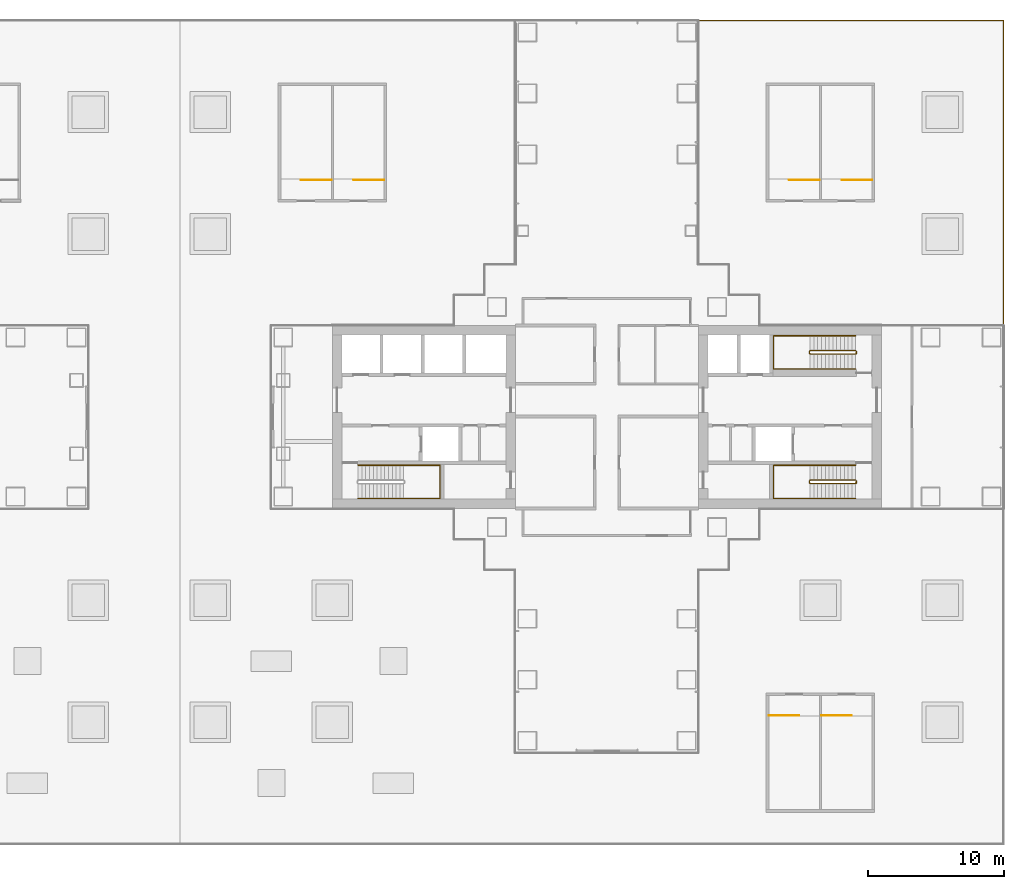
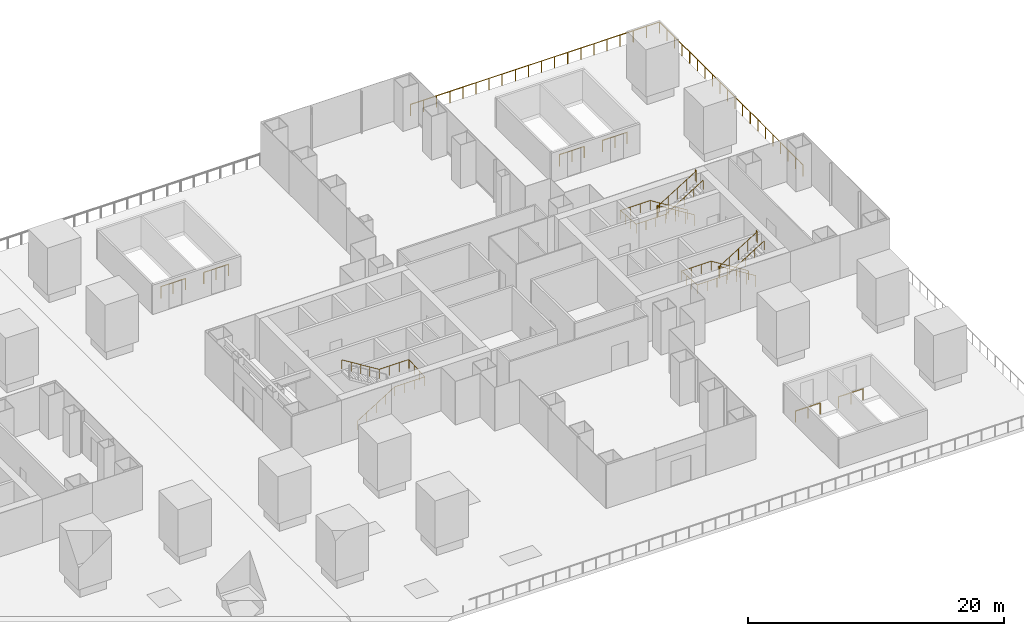
# One storey, part 22 of 23: 12 railings.
"""IFC4 building model written with IfcOpenShell, lengths in metres."""

from ifc_helpers import new_model, si_unit, direction, frame, origin, origin_2d, place, context, subcontext, project, spatial, circle, extrude, material, type_object, element, save


model = new_model("IFC4")

# Units and contexts
model_context = context("Model", 3, precision=1e-05, world=origin(), true_north=direction((0.0, 1.0)))
body_context = subcontext(model_context, "Body", "Model", "MODEL_VIEW")
ifc_project = project(units=[si_unit("LENGTHUNIT", "METRE"), si_unit("AREAUNIT", "SQUARE_METRE"), si_unit("VOLUMEUNIT", "CUBIC_METRE"), si_unit("PLANEANGLEUNIT", "RADIAN"), si_unit("MASSUNIT", "GRAM", prefix="KILO")], contexts=[model_context])

# Site, building, storey
site_placement = place(None, origin())
site = spatial("IfcSite", under=ifc_project, at=site_placement, CompositionType="ELEMENT")
building_placement = place(site_placement, origin())
building = spatial("IfcBuilding", under=site, at=building_placement, Name="Shamsa Quay Exchange Towers", CompositionType="ELEMENT")
storey_placement = place(building_placement, frame((0.0, 0.0, 28.5)))
storey = spatial("IfcBuildingStorey", under=building, at=storey_placement, Name="L05", CompositionType="ELEMENT", Elevation=28.5)

# Railings
ifc_material_1 = material(Name="Steel S355, black powder-coated", Category="steel")
railing_type_1 = type_object("IfcRailingType", Name="DECK GUARD 1100", PredefinedType="GUARDRAIL", material=ifc_material_1)
railing_1_placement = place(storey_placement, frame((63.0, 6.77001953125, 0.0)))
element("IfcRailing", 1, at=railing_1_placement, inside=storey, type_object=railing_type_1, Name="Deck guard 2.1", PredefinedType="GUARDRAIL", context=body_context, shape_type="SweptSolid", body=[
    extrude(circle(Radius=0.02392578125, at=origin_2d()), frame((0.0, 0.0, 1.076171875), z_axis=(0.0, 1.0, 0.0), x_axis=(-1.0, 0.0, 0.0)), (0.0, 0.0, 1.0), 22.47998046875),
    extrude(circle(Radius=0.02392578125, at=origin_2d()), frame((0.0, 22.47998046875, 1.076171875), z_axis=(-1.0, 0.0, 0.0), x_axis=(0.0, -1.0, 0.0)), (0.0, 0.0, 1.0), 22.47998046875),
    extrude(circle(Radius=0.02099609375, at=origin_2d()), origin(), (0.0, 0.0, 1.0), 1.052001953125),
    extrude(circle(Radius=0.02099609375, at=origin_2d()), frame((0.0, 1.18310546875, 0.0)), (0.0, 0.0, 1.0), 1.052001953125),
    extrude(circle(Radius=0.02099609375, at=origin_2d()), frame((0.0, 2.3662109375, 0.0)), (0.0, 0.0, 1.0), 1.052001953125),
    extrude(circle(Radius=0.02099609375, at=origin_2d()), frame((0.0, 3.549560546875, 0.0)), (0.0, 0.0, 1.0), 1.052001953125),
    extrude(circle(Radius=0.02099609375, at=origin_2d()), frame((0.0, 4.732666015625, 0.0)), (0.0, 0.0, 1.0), 1.052001953125),
    extrude(circle(Radius=0.02099609375, at=origin_2d()), frame((0.0, 5.915771484375, 0.0)), (0.0, 0.0, 1.0), 1.052001953125),
    extrude(circle(Radius=0.02099609375, at=origin_2d()), frame((0.0, 7.098876953125, 0.0)), (0.0, 0.0, 1.0), 1.052001953125),
    extrude(circle(Radius=0.02099609375, at=origin_2d()), frame((0.0, 8.281982421875, 0.0)), (0.0, 0.0, 1.0), 1.052001953125),
    extrude(circle(Radius=0.02099609375, at=origin_2d()), frame((0.0, 9.46533203125, 0.0)), (0.0, 0.0, 1.0), 1.052001953125),
    extrude(circle(Radius=0.02099609375, at=origin_2d()), frame((0.0, 10.6484375, 0.0)), (0.0, 0.0, 1.0), 1.052001953125),
    extrude(circle(Radius=0.02099609375, at=origin_2d()), frame((0.0, 11.83154296875, 0.0)), (0.0, 0.0, 1.0), 1.052001953125),
    extrude(circle(Radius=0.02099609375, at=origin_2d()), frame((0.0, 13.0146484375, 0.0)), (0.0, 0.0, 1.0), 1.052001953125),
    extrude(circle(Radius=0.02099609375, at=origin_2d()), frame((0.0, 14.197998046875, 0.0)), (0.0, 0.0, 1.0), 1.052001953125),
    extrude(circle(Radius=0.02099609375, at=origin_2d()), frame((0.0, 15.381103515625, 0.0)), (0.0, 0.0, 1.0), 1.052001953125),
    extrude(circle(Radius=0.02099609375, at=origin_2d()), frame((0.0, 16.564208984375, 0.0)), (0.0, 0.0, 1.0), 1.052001953125),
    extrude(circle(Radius=0.02099609375, at=origin_2d()), frame((0.0, 17.747314453125, 0.0)), (0.0, 0.0, 1.0), 1.052001953125),
    extrude(circle(Radius=0.02099609375, at=origin_2d()), frame((0.0, 18.930419921875, 0.0)), (0.0, 0.0, 1.0), 1.052001953125),
    extrude(circle(Radius=0.02099609375, at=origin_2d()), frame((0.0, 20.11376953125, 0.0)), (0.0, 0.0, 1.0), 1.052001953125),
    extrude(circle(Radius=0.02099609375, at=origin_2d()), frame((0.0, 21.296875, 0.0)), (0.0, 0.0, 1.0), 1.052001953125),
    extrude(circle(Radius=0.02099609375, at=origin_2d()), frame((0.0, 22.47998046875, 0.0)), (0.0, 0.0, 1.0), 1.052001953125),
    extrude(circle(Radius=0.02099609375, at=origin_2d()), frame((-1.18310546875, 22.47998046875, 0.0)), (0.0, 0.0, 1.0), 1.052001953125),
    extrude(circle(Radius=0.02099609375, at=origin_2d()), frame((-2.3662109375, 22.47998046875, 0.0)), (0.0, 0.0, 1.0), 1.052001953125),
    extrude(circle(Radius=0.02099609375, at=origin_2d()), frame((-3.549560546875, 22.47998046875, 0.0)), (0.0, 0.0, 1.0), 1.052001953125),
    extrude(circle(Radius=0.02099609375, at=origin_2d()), frame((-4.732666015625, 22.47998046875, 0.0)), (0.0, 0.0, 1.0), 1.052001953125),
    extrude(circle(Radius=0.02099609375, at=origin_2d()), frame((-5.915771484375, 22.47998046875, 0.0)), (0.0, 0.0, 1.0), 1.052001953125),
    extrude(circle(Radius=0.02099609375, at=origin_2d()), frame((-7.098876953125, 22.47998046875, 0.0)), (0.0, 0.0, 1.0), 1.052001953125),
    extrude(circle(Radius=0.02099609375, at=origin_2d()), frame((-8.281982421875, 22.47998046875, 0.0)), (0.0, 0.0, 1.0), 1.052001953125),
    extrude(circle(Radius=0.02099609375, at=origin_2d()), frame((-9.46533203125, 22.47998046875, 0.0)), (0.0, 0.0, 1.0), 1.052001953125),
    extrude(circle(Radius=0.02099609375, at=origin_2d()), frame((-10.6484375, 22.47998046875, 0.0)), (0.0, 0.0, 1.0), 1.052001953125),
    extrude(circle(Radius=0.02099609375, at=origin_2d()), frame((-11.83154296875, 22.47998046875, 0.0)), (0.0, 0.0, 1.0), 1.052001953125),
    extrude(circle(Radius=0.02099609375, at=origin_2d()), frame((-13.0146484375, 22.47998046875, 0.0)), (0.0, 0.0, 1.0), 1.052001953125),
    extrude(circle(Radius=0.02099609375, at=origin_2d()), frame((-14.197998046875, 22.47998046875, 0.0)), (0.0, 0.0, 1.0), 1.052001953125),
    extrude(circle(Radius=0.02099609375, at=origin_2d()), frame((-15.381103515625, 22.47998046875, 0.0)), (0.0, 0.0, 1.0), 1.052001953125),
    extrude(circle(Radius=0.02099609375, at=origin_2d()), frame((-16.564208984375, 22.47998046875, 0.0)), (0.0, 0.0, 1.0), 1.052001953125),
    extrude(circle(Radius=0.02099609375, at=origin_2d()), frame((-17.747314453125, 22.47998046875, 0.0)), (0.0, 0.0, 1.0), 1.052001953125),
    extrude(circle(Radius=0.02099609375, at=origin_2d()), frame((-18.930419921875, 22.47998046875, 0.0)), (0.0, 0.0, 1.0), 1.052001953125),
    extrude(circle(Radius=0.02099609375, at=origin_2d()), frame((-20.11376953125, 22.47998046875, 0.0)), (0.0, 0.0, 1.0), 1.052001953125),
    extrude(circle(Radius=0.02099609375, at=origin_2d()), frame((-21.296875, 22.47998046875, 0.0)), (0.0, 0.0, 1.0), 1.052001953125),
    extrude(circle(Radius=0.02099609375, at=origin_2d()), frame((-22.47998046875, 22.47998046875, 0.0)), (0.0, 0.0, 1.0), 1.052001953125),
])
ifc_material_2 = material(Name="Stainless steel", Category="steel")
railing_type_2 = type_object("IfcRailingType", Name="STAIR GUARD 1100", PredefinedType="GUARDRAIL", material=ifc_material_2)
railing_2_placement = place(storey_placement, frame((52.10009765625, -4.64990234375, 0.173095703125)))
element("IfcRailing", 2, at=railing_2_placement, inside=storey, type_object=railing_type_2, Name="L05 ST5 stair guard 1", PredefinedType="GUARDRAIL", context=body_context, shape_type="SweptSolid", body=[
    extrude(circle(Radius=0.02392578125, at=origin_2d()), frame((0.0, 0.0, 1.076171875), z_axis=(-0.850623216509, 0.0, 0.525775754039), x_axis=(0.0, -1.0, 0.0)), (0.0, 0.0, 1.0), 3.9501953125),
    extrude(circle(Radius=0.02392578125, at=origin_2d()), frame((-3.360107421875, 0.0, 3.15283203125), z_axis=(-0.707106781187, -0.707106781187, 0.0), x_axis=(0.707106781187, -0.707106781187, 0.0)), (0.0, 0.0, 1.0), 0.07080078125),
    extrude(circle(Radius=0.02392578125, at=origin_2d()), frame((-3.41015625, -0.050048828125, 3.15283203125), z_axis=(0.0, -1.0, 0.0), x_axis=(1.0, 0.0, 0.0)), (0.0, 0.0, 1.0), 0.150146484375),
    extrude(circle(Radius=0.02392578125, at=origin_2d()), frame((-3.41015625, -0.2001953125, 3.15283203125), z_axis=(0.267723051232, -0.266417085129, 0.925929967433), x_axis=(0.705375805398, 0.708833529934, 0.0)), (0.0, 0.0, 1.0), 0.18701171875),
    extrude(circle(Radius=0.02392578125, at=origin_2d()), frame((-3.360107421875, -0.25, 3.326171875), z_axis=(0.850623216509, 0.0, 0.525775754039), x_axis=(0.0, 1.0, 0.0)), (0.0, 0.0, 1.0), 3.9501953125),
    extrude(circle(Radius=0.02392578125, at=origin_2d()), frame((0.0, -0.25, 5.40283203125), z_axis=(0.241699205484, 0.970351222016, 0.0), x_axis=(-0.970351222016, 0.241699205484, 0.0)), (0.0, 0.0, 1.0), 0.2060546875),
    extrude(circle(Radius=0.02392578125, at=origin_2d()), frame((0.0498046875, -0.050048828125, 5.40283203125), z_axis=(0.0, -1.0, 0.0), x_axis=(1.0, 0.0, 0.0)), (0.0, 0.0, 1.0), 0.150146484375),
    extrude(circle(Radius=0.02099609375, at=origin_2d()), origin(), (0.0, 0.0, 1.0), 1.052001953125),
    extrude(circle(Radius=0.02099609375, at=origin_2d()), frame((-0.840087890625, 0.0, 0.519287109375)), (0.0, 0.0, 1.0), 1.052001953125),
    extrude(circle(Radius=0.02099609375, at=origin_2d()), frame((-1.68017578125, 0.0, 1.03857421875)), (0.0, 0.0, 1.0), 1.052001953125),
    extrude(circle(Radius=0.02099609375, at=origin_2d()), frame((-2.52001953125, 0.0, 1.5576171875)), (0.0, 0.0, 1.0), 1.052001953125),
    extrude(circle(Radius=0.02099609375, at=origin_2d()), frame((-3.360107421875, 0.0, 2.076904296875)), (0.0, 0.0, 1.0), 1.052001953125),
    extrude(circle(Radius=0.02099609375, at=origin_2d()), frame((-3.41015625, -0.050048828125, 2.076904296875)), (0.0, 0.0, 1.0), 1.052001953125),
    extrude(circle(Radius=0.02099609375, at=origin_2d()), frame((-3.41015625, -0.2001953125, 2.076904296875)), (0.0, 0.0, 1.0), 1.052001953125),
    extrude(circle(Radius=0.02099609375, at=origin_2d()), frame((-3.360107421875, -0.25, 2.25)), (0.0, 0.0, 1.0), 1.052001953125),
    extrude(circle(Radius=0.02099609375, at=origin_2d()), frame((-2.52001953125, -0.25, 2.769287109375)), (0.0, 0.0, 1.0), 1.052001953125),
    extrude(circle(Radius=0.02099609375, at=origin_2d()), frame((-1.68017578125, -0.25, 3.28857421875)), (0.0, 0.0, 1.0), 1.052001953125),
    extrude(circle(Radius=0.02099609375, at=origin_2d()), frame((-0.840087890625, -0.25, 3.8076171875)), (0.0, 0.0, 1.0), 1.052001953125),
    extrude(circle(Radius=0.02099609375, at=origin_2d()), frame((0.0, -0.25, 4.326904296875)), (0.0, 0.0, 1.0), 1.052001953125),
    extrude(circle(Radius=0.02099609375, at=origin_2d()), frame((0.0498046875, -0.050048828125, 4.326904296875)), (0.0, 0.0, 1.0), 1.052001953125),
    extrude(circle(Radius=0.02099609375, at=origin_2d()), frame((0.0498046875, -0.2001953125, 4.326904296875)), (0.0, 0.0, 1.0), 1.052001953125),
])
railing_3_placement = place(storey_placement, frame((52.10009765625, 4.89990234375, 0.173095703125)))
element("IfcRailing", 3, at=railing_3_placement, inside=storey, type_object=railing_type_2, Name="L05 ST6 stair guard 1", PredefinedType="GUARDRAIL", context=body_context, shape_type="SweptSolid", body=[
    extrude(circle(Radius=0.02392578125, at=origin_2d()), frame((0.0, 0.0, 1.076171875), z_axis=(-0.850623216509, 0.0, 0.525775754039), x_axis=(0.0, -1.0, 0.0)), (0.0, 0.0, 1.0), 3.9501953125),
    extrude(circle(Radius=0.02392578125, at=origin_2d()), frame((-3.360107421875, 0.0, 3.15283203125), z_axis=(-0.708833529934, -0.705375805398, 0.0), x_axis=(0.705375805398, -0.708833529934, 0.0)), (0.0, 0.0, 1.0), 0.070556640625),
    extrude(circle(Radius=0.02392578125, at=origin_2d()), frame((-3.41015625, -0.0498046875, 3.15283203125), z_axis=(0.0, -1.0, 0.0), x_axis=(1.0, 0.0, 0.0)), (0.0, 0.0, 1.0), 0.150146484375),
    extrude(circle(Radius=0.02392578125, at=origin_2d()), frame((-3.41015625, -0.199951171875, 3.15283203125), z_axis=(0.267629722418, -0.267629722418, 0.925607186314), x_axis=(0.707106781187, 0.707106781187, 0.0)), (0.0, 0.0, 1.0), 0.18701171875),
    extrude(circle(Radius=0.02392578125, at=origin_2d()), frame((-3.360107421875, -0.25, 3.326171875), z_axis=(0.850623216509, 0.0, 0.525775754039), x_axis=(0.0, 1.0, 0.0)), (0.0, 0.0, 1.0), 3.9501953125),
    extrude(circle(Radius=0.02392578125, at=origin_2d()), frame((0.0, -0.25, 5.40283203125), z_axis=(0.24142163986, 0.970420317083, 0.0), x_axis=(-0.970420317083, 0.24142163986, 0.0)), (0.0, 0.0, 1.0), 0.206298828125),
    extrude(circle(Radius=0.02392578125, at=origin_2d()), frame((0.0498046875, -0.0498046875, 5.40283203125), z_axis=(0.0, -1.0, 0.0), x_axis=(1.0, 0.0, 0.0)), (0.0, 0.0, 1.0), 0.150146484375),
    extrude(circle(Radius=0.02099609375, at=origin_2d()), origin(), (0.0, 0.0, 1.0), 1.052001953125),
    extrude(circle(Radius=0.02099609375, at=origin_2d()), frame((-0.840087890625, 0.0, 0.519287109375)), (0.0, 0.0, 1.0), 1.052001953125),
    extrude(circle(Radius=0.02099609375, at=origin_2d()), frame((-1.68017578125, 0.0, 1.03857421875)), (0.0, 0.0, 1.0), 1.052001953125),
    extrude(circle(Radius=0.02099609375, at=origin_2d()), frame((-2.52001953125, 0.0, 1.5576171875)), (0.0, 0.0, 1.0), 1.052001953125),
    extrude(circle(Radius=0.02099609375, at=origin_2d()), frame((-3.360107421875, 0.0, 2.076904296875)), (0.0, 0.0, 1.0), 1.052001953125),
    extrude(circle(Radius=0.02099609375, at=origin_2d()), frame((-3.41015625, -0.0498046875, 2.076904296875)), (0.0, 0.0, 1.0), 1.052001953125),
    extrude(circle(Radius=0.02099609375, at=origin_2d()), frame((-3.41015625, -0.199951171875, 2.076904296875)), (0.0, 0.0, 1.0), 1.052001953125),
    extrude(circle(Radius=0.02099609375, at=origin_2d()), frame((-3.360107421875, -0.25, 2.25)), (0.0, 0.0, 1.0), 1.052001953125),
    extrude(circle(Radius=0.02099609375, at=origin_2d()), frame((-2.52001953125, -0.25, 2.769287109375)), (0.0, 0.0, 1.0), 1.052001953125),
    extrude(circle(Radius=0.02099609375, at=origin_2d()), frame((-1.68017578125, -0.25, 3.28857421875)), (0.0, 0.0, 1.0), 1.052001953125),
    extrude(circle(Radius=0.02099609375, at=origin_2d()), frame((-0.840087890625, -0.25, 3.8076171875)), (0.0, 0.0, 1.0), 1.052001953125),
    extrude(circle(Radius=0.02099609375, at=origin_2d()), frame((0.0, -0.25, 4.326904296875)), (0.0, 0.0, 1.0), 1.052001953125),
    extrude(circle(Radius=0.02099609375, at=origin_2d()), frame((0.0498046875, -0.0498046875, 4.326904296875)), (0.0, 0.0, 1.0), 1.052001953125),
    extrude(circle(Radius=0.02099609375, at=origin_2d()), frame((0.0498046875, -0.199951171875, 4.326904296875)), (0.0, 0.0, 1.0), 1.052001953125),
])
for number, where, name in (
    (4, (13.425048828125, 17.5, 0.0), "L05 PS3A top well guard 1"),
    (5, (17.300048828125, 17.5, 0.0), "L05 PS3B top well guard 1"),
    (6, (49.425048828125, 17.5, 0.0), "L05 PS4A top well guard 1"),
    (7, (53.300048828125, 17.5, 0.0), "L05 PS4B top well guard 1"),
):
    element("IfcRailing", number, at=place(storey_placement, frame(where)), inside=storey, type_object=railing_type_2, Name=name, PredefinedType="GUARDRAIL", context=body_context, shape_type="SweptSolid", body=[
        extrude(circle(Radius=0.02392578125, at=origin_2d()), frame((0.0, 0.0, 1.076171875), z_axis=(-1.0, 0.0, 0.0), x_axis=(0.0, -1.0, 0.0)), (0.0, 0.0, 1.0), 2.22509765625),
        extrude(circle(Radius=0.02099609375, at=origin_2d()), origin(), (0.0, 0.0, 1.0), 1.052001953125),
        extrude(circle(Radius=0.02099609375, at=origin_2d()), frame((-1.112548828125, 0.0, 0.0)), (0.0, 0.0, 1.0), 1.052001953125),
        extrude(circle(Radius=0.02099609375, at=origin_2d()), frame((-2.22509765625, 0.0, 0.0)), (0.0, 0.0, 1.0), 1.052001953125),
    ])
for number, where, name in (
    (8, (45.699951171875, -22.0, 0.0), "L05 PS6A top well guard 1"),
    (9, (49.574951171875, -22.0, 0.0), "L05 PS6B top well guard 1"),
):
    element("IfcRailing", number, at=place(storey_placement, frame(where)), inside=storey, type_object=railing_type_2, Name=name, PredefinedType="GUARDRAIL", context=body_context, shape_type="SweptSolid", body=[
        extrude(circle(Radius=0.02392578125, at=origin_2d()), frame((0.0, 0.0, 1.076171875), z_axis=(1.0, 0.0, 0.0), x_axis=(0.0, 1.0, 0.0)), (0.0, 0.0, 1.0), 2.22509765625),
        extrude(circle(Radius=0.02099609375, at=origin_2d()), origin(), (0.0, 0.0, 1.0), 1.052001953125),
        extrude(circle(Radius=0.02099609375, at=origin_2d()), frame((1.112548828125, 0.0, 0.0)), (0.0, 0.0, 1.0), 1.052001953125),
        extrude(circle(Radius=0.02099609375, at=origin_2d()), frame((2.22509765625, 0.0, 0.0)), (0.0, 0.0, 1.0), 1.052001953125),
    ])
railing_type_3 = type_object("IfcRailingType", Name="STAIR HANDRAIL 900", PredefinedType="HANDRAIL", material=ifc_material_2)
railing_4_placement = place(storey_placement, frame((15.39990234375, -6.0, 0.173095703125)))
element("IfcRailing", 10, at=railing_4_placement, inside=storey, type_object=railing_type_3, Name="L05 ST4 stair handrail 1", PredefinedType="HANDRAIL", context=body_context, shape_type="SweptSolid", body=[
    extrude(circle(Radius=0.02392578125, at=origin_2d()), frame((0.0, 0.0, 0.8759765625), z_axis=(0.850623216509, 0.0, 0.525775754039), x_axis=(0.0, 1.0, 0.0)), (0.0, 0.0, 1.0), 3.9501953125),
    extrude(circle(Radius=0.02392578125, at=origin_2d()), frame((3.360107421875, 0.0, 2.95263671875), z_axis=(1.0, 0.0, 0.0), x_axis=(0.0, 1.0, 0.0)), (0.0, 0.0, 1.0), 2.68994140625),
    extrude(circle(Radius=0.02392578125, at=origin_2d()), frame((6.050048828125, 0.0, 2.95263671875), z_axis=(0.0, 0.997513402493, 0.07047703063), x_axis=(-1.0, 0.0, 0.0)), (0.0, 0.0, 1.0), 2.4560546875),
    extrude(circle(Radius=0.02392578125, at=origin_2d()), frame((6.050048828125, 2.449951171875, 3.1259765625), z_axis=(-1.0, 0.0, 0.0), x_axis=(0.0, -1.0, 0.0)), (0.0, 0.0, 1.0), 2.68994140625),
    extrude(circle(Radius=0.02392578125, at=origin_2d()), frame((3.360107421875, 2.449951171875, 3.1259765625), z_axis=(-0.850623216509, 0.0, 0.525775754039), x_axis=(0.0, -1.0, 0.0)), (0.0, 0.0, 1.0), 3.9501953125),
    extrude(circle(Radius=0.02099609375, at=origin_2d()), origin(), (0.0, 0.0, 1.0), 0.851806640625),
    extrude(circle(Radius=0.02099609375, at=origin_2d()), frame((0.840087890625, 0.0, 0.519287109375)), (0.0, 0.0, 1.0), 0.851806640625),
    extrude(circle(Radius=0.02099609375, at=origin_2d()), frame((1.68017578125, 0.0, 1.03857421875)), (0.0, 0.0, 1.0), 0.851806640625),
    extrude(circle(Radius=0.02099609375, at=origin_2d()), frame((2.52001953125, 0.0, 1.5576171875)), (0.0, 0.0, 1.0), 0.851806640625),
    extrude(circle(Radius=0.02099609375, at=origin_2d()), frame((3.360107421875, 0.0, 2.076904296875)), (0.0, 0.0, 1.0), 0.851806640625),
    extrude(circle(Radius=0.02099609375, at=origin_2d()), frame((4.2568359375, 0.0, 2.076904296875)), (0.0, 0.0, 1.0), 0.851806640625),
    extrude(circle(Radius=0.02099609375, at=origin_2d()), frame((5.1533203125, 0.0, 2.076904296875)), (0.0, 0.0, 1.0), 0.851806640625),
    extrude(circle(Radius=0.02099609375, at=origin_2d()), frame((6.050048828125, 0.0, 2.076904296875)), (0.0, 0.0, 1.0), 0.851806640625),
    extrude(circle(Radius=0.02099609375, at=origin_2d()), frame((6.050048828125, 0.816650390625, 2.134521484375)), (0.0, 0.0, 1.0), 0.851806640625),
    extrude(circle(Radius=0.02099609375, at=origin_2d()), frame((6.050048828125, 1.63330078125, 2.1923828125)), (0.0, 0.0, 1.0), 0.851806640625),
    extrude(circle(Radius=0.02099609375, at=origin_2d()), frame((6.050048828125, 2.449951171875, 2.25)), (0.0, 0.0, 1.0), 0.851806640625),
    extrude(circle(Radius=0.02099609375, at=origin_2d()), frame((5.1533203125, 2.449951171875, 2.25)), (0.0, 0.0, 1.0), 0.851806640625),
    extrude(circle(Radius=0.02099609375, at=origin_2d()), frame((4.2568359375, 2.449951171875, 2.25)), (0.0, 0.0, 1.0), 0.851806640625),
    extrude(circle(Radius=0.02099609375, at=origin_2d()), frame((3.360107421875, 2.449951171875, 2.25)), (0.0, 0.0, 1.0), 0.851806640625),
    extrude(circle(Radius=0.02099609375, at=origin_2d()), frame((2.52001953125, 2.449951171875, 2.769287109375)), (0.0, 0.0, 1.0), 0.851806640625),
    extrude(circle(Radius=0.02099609375, at=origin_2d()), frame((1.68017578125, 2.449951171875, 3.28857421875)), (0.0, 0.0, 1.0), 0.851806640625),
    extrude(circle(Radius=0.02099609375, at=origin_2d()), frame((0.840087890625, 2.449951171875, 3.8076171875)), (0.0, 0.0, 1.0), 0.851806640625),
    extrude(circle(Radius=0.02099609375, at=origin_2d()), frame((0.0, 2.449951171875, 4.326904296875)), (0.0, 0.0, 1.0), 0.851806640625),
])
railing_5_placement = place(storey_placement, frame((52.10009765625, -3.550048828125, 0.173095703125)))
element("IfcRailing", 11, at=railing_5_placement, inside=storey, type_object=railing_type_3, Name="L05 ST5 stair handrail 1", PredefinedType="HANDRAIL", context=body_context, shape_type="SweptSolid", body=[
    extrude(circle(Radius=0.02392578125, at=origin_2d()), frame((0.0, 0.0, 0.8759765625), z_axis=(-0.850623216509, 0.0, 0.525775754039), x_axis=(0.0, -1.0, 0.0)), (0.0, 0.0, 1.0), 3.9501953125),
    extrude(circle(Radius=0.02392578125, at=origin_2d()), frame((-3.360107421875, 0.0, 2.95263671875), z_axis=(-1.0, 0.0, 0.0), x_axis=(0.0, -1.0, 0.0)), (0.0, 0.0, 1.0), 2.68994140625),
    extrude(circle(Radius=0.02392578125, at=origin_2d()), frame((-6.050048828125, 0.0, 2.95263671875), z_axis=(0.0, -0.997513402493, 0.07047703063), x_axis=(1.0, 0.0, 0.0)), (0.0, 0.0, 1.0), 2.4560546875),
    extrude(circle(Radius=0.02392578125, at=origin_2d()), frame((-6.050048828125, -2.449951171875, 3.1259765625), z_axis=(1.0, 0.0, 0.0), x_axis=(0.0, 1.0, 0.0)), (0.0, 0.0, 1.0), 2.68994140625),
    extrude(circle(Radius=0.02392578125, at=origin_2d()), frame((-3.360107421875, -2.449951171875, 3.1259765625), z_axis=(0.850623216509, 0.0, 0.525775754039), x_axis=(0.0, 1.0, 0.0)), (0.0, 0.0, 1.0), 3.9501953125),
    extrude(circle(Radius=0.02099609375, at=origin_2d()), origin(), (0.0, 0.0, 1.0), 0.851806640625),
    extrude(circle(Radius=0.02099609375, at=origin_2d()), frame((-0.840087890625, 0.0, 0.519287109375)), (0.0, 0.0, 1.0), 0.851806640625),
    extrude(circle(Radius=0.02099609375, at=origin_2d()), frame((-1.68017578125, 0.0, 1.03857421875)), (0.0, 0.0, 1.0), 0.851806640625),
    extrude(circle(Radius=0.02099609375, at=origin_2d()), frame((-2.52001953125, 0.0, 1.5576171875)), (0.0, 0.0, 1.0), 0.851806640625),
    extrude(circle(Radius=0.02099609375, at=origin_2d()), frame((-3.360107421875, 0.0, 2.076904296875)), (0.0, 0.0, 1.0), 0.851806640625),
    extrude(circle(Radius=0.02099609375, at=origin_2d()), frame((-4.2568359375, 0.0, 2.076904296875)), (0.0, 0.0, 1.0), 0.851806640625),
    extrude(circle(Radius=0.02099609375, at=origin_2d()), frame((-5.1533203125, 0.0, 2.076904296875)), (0.0, 0.0, 1.0), 0.851806640625),
    extrude(circle(Radius=0.02099609375, at=origin_2d()), frame((-6.050048828125, 0.0, 2.076904296875)), (0.0, 0.0, 1.0), 0.851806640625),
    extrude(circle(Radius=0.02099609375, at=origin_2d()), frame((-6.050048828125, -0.816650390625, 2.134521484375)), (0.0, 0.0, 1.0), 0.851806640625),
    extrude(circle(Radius=0.02099609375, at=origin_2d()), frame((-6.050048828125, -1.63330078125, 2.1923828125)), (0.0, 0.0, 1.0), 0.851806640625),
    extrude(circle(Radius=0.02099609375, at=origin_2d()), frame((-6.050048828125, -2.449951171875, 2.25)), (0.0, 0.0, 1.0), 0.851806640625),
    extrude(circle(Radius=0.02099609375, at=origin_2d()), frame((-5.1533203125, -2.449951171875, 2.25)), (0.0, 0.0, 1.0), 0.851806640625),
    extrude(circle(Radius=0.02099609375, at=origin_2d()), frame((-4.2568359375, -2.449951171875, 2.25)), (0.0, 0.0, 1.0), 0.851806640625),
    extrude(circle(Radius=0.02099609375, at=origin_2d()), frame((-3.360107421875, -2.449951171875, 2.25)), (0.0, 0.0, 1.0), 0.851806640625),
    extrude(circle(Radius=0.02099609375, at=origin_2d()), frame((-2.52001953125, -2.449951171875, 2.769287109375)), (0.0, 0.0, 1.0), 0.851806640625),
    extrude(circle(Radius=0.02099609375, at=origin_2d()), frame((-1.68017578125, -2.449951171875, 3.28857421875)), (0.0, 0.0, 1.0), 0.851806640625),
    extrude(circle(Radius=0.02099609375, at=origin_2d()), frame((-0.840087890625, -2.449951171875, 3.8076171875)), (0.0, 0.0, 1.0), 0.851806640625),
    extrude(circle(Radius=0.02099609375, at=origin_2d()), frame((0.0, -2.449951171875, 4.326904296875)), (0.0, 0.0, 1.0), 0.851806640625),
])
railing_6_placement = place(storey_placement, frame((52.10009765625, 6.0, 0.173095703125)))
element("IfcRailing", 12, at=railing_6_placement, inside=storey, type_object=railing_type_3, Name="L05 ST6 stair handrail 1", PredefinedType="HANDRAIL", context=body_context, shape_type="SweptSolid", body=[
    extrude(circle(Radius=0.02392578125, at=origin_2d()), frame((0.0, 0.0, 0.8759765625), z_axis=(-0.850623216509, 0.0, 0.525775754039), x_axis=(0.0, -1.0, 0.0)), (0.0, 0.0, 1.0), 3.9501953125),
    extrude(circle(Radius=0.02392578125, at=origin_2d()), frame((-3.360107421875, 0.0, 2.95263671875), z_axis=(-1.0, 0.0, 0.0), x_axis=(0.0, -1.0, 0.0)), (0.0, 0.0, 1.0), 2.68994140625),
    extrude(circle(Radius=0.02392578125, at=origin_2d()), frame((-6.050048828125, 0.0, 2.95263671875), z_axis=(0.0, -0.997513402493, 0.07047703063), x_axis=(1.0, 0.0, 0.0)), (0.0, 0.0, 1.0), 2.4560546875),
    extrude(circle(Radius=0.02392578125, at=origin_2d()), frame((-6.050048828125, -2.449951171875, 3.1259765625), z_axis=(1.0, 0.0, 0.0), x_axis=(0.0, 1.0, 0.0)), (0.0, 0.0, 1.0), 2.68994140625),
    extrude(circle(Radius=0.02392578125, at=origin_2d()), frame((-3.360107421875, -2.449951171875, 3.1259765625), z_axis=(0.850623216509, 0.0, 0.525775754039), x_axis=(0.0, 1.0, 0.0)), (0.0, 0.0, 1.0), 3.9501953125),
    extrude(circle(Radius=0.02099609375, at=origin_2d()), origin(), (0.0, 0.0, 1.0), 0.851806640625),
    extrude(circle(Radius=0.02099609375, at=origin_2d()), frame((-0.840087890625, 0.0, 0.519287109375)), (0.0, 0.0, 1.0), 0.851806640625),
    extrude(circle(Radius=0.02099609375, at=origin_2d()), frame((-1.68017578125, 0.0, 1.03857421875)), (0.0, 0.0, 1.0), 0.851806640625),
    extrude(circle(Radius=0.02099609375, at=origin_2d()), frame((-2.52001953125, 0.0, 1.5576171875)), (0.0, 0.0, 1.0), 0.851806640625),
    extrude(circle(Radius=0.02099609375, at=origin_2d()), frame((-3.360107421875, 0.0, 2.076904296875)), (0.0, 0.0, 1.0), 0.851806640625),
    extrude(circle(Radius=0.02099609375, at=origin_2d()), frame((-4.2568359375, 0.0, 2.076904296875)), (0.0, 0.0, 1.0), 0.851806640625),
    extrude(circle(Radius=0.02099609375, at=origin_2d()), frame((-5.1533203125, 0.0, 2.076904296875)), (0.0, 0.0, 1.0), 0.851806640625),
    extrude(circle(Radius=0.02099609375, at=origin_2d()), frame((-6.050048828125, 0.0, 2.076904296875)), (0.0, 0.0, 1.0), 0.851806640625),
    extrude(circle(Radius=0.02099609375, at=origin_2d()), frame((-6.050048828125, -0.816650390625, 2.134521484375)), (0.0, 0.0, 1.0), 0.851806640625),
    extrude(circle(Radius=0.02099609375, at=origin_2d()), frame((-6.050048828125, -1.63330078125, 2.1923828125)), (0.0, 0.0, 1.0), 0.851806640625),
    extrude(circle(Radius=0.02099609375, at=origin_2d()), frame((-6.050048828125, -2.449951171875, 2.25)), (0.0, 0.0, 1.0), 0.851806640625),
    extrude(circle(Radius=0.02099609375, at=origin_2d()), frame((-5.1533203125, -2.449951171875, 2.25)), (0.0, 0.0, 1.0), 0.851806640625),
    extrude(circle(Radius=0.02099609375, at=origin_2d()), frame((-4.2568359375, -2.449951171875, 2.25)), (0.0, 0.0, 1.0), 0.851806640625),
    extrude(circle(Radius=0.02099609375, at=origin_2d()), frame((-3.360107421875, -2.449951171875, 2.25)), (0.0, 0.0, 1.0), 0.851806640625),
    extrude(circle(Radius=0.02099609375, at=origin_2d()), frame((-2.52001953125, -2.449951171875, 2.769287109375)), (0.0, 0.0, 1.0), 0.851806640625),
    extrude(circle(Radius=0.02099609375, at=origin_2d()), frame((-1.68017578125, -2.449951171875, 3.28857421875)), (0.0, 0.0, 1.0), 0.851806640625),
    extrude(circle(Radius=0.02099609375, at=origin_2d()), frame((-0.840087890625, -2.449951171875, 3.8076171875)), (0.0, 0.0, 1.0), 0.851806640625),
    extrude(circle(Radius=0.02099609375, at=origin_2d()), frame((0.0, -2.449951171875, 4.326904296875)), (0.0, 0.0, 1.0), 0.851806640625),
])

save(model, "model.ifc")
